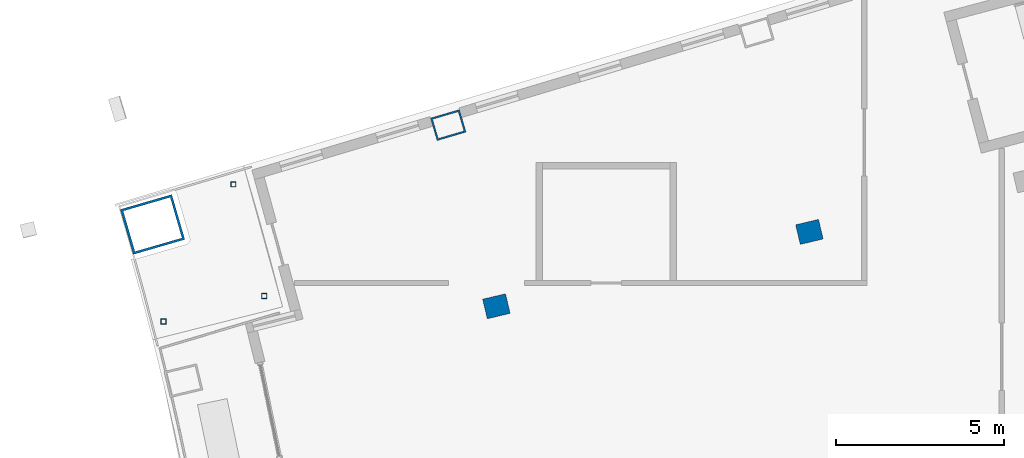
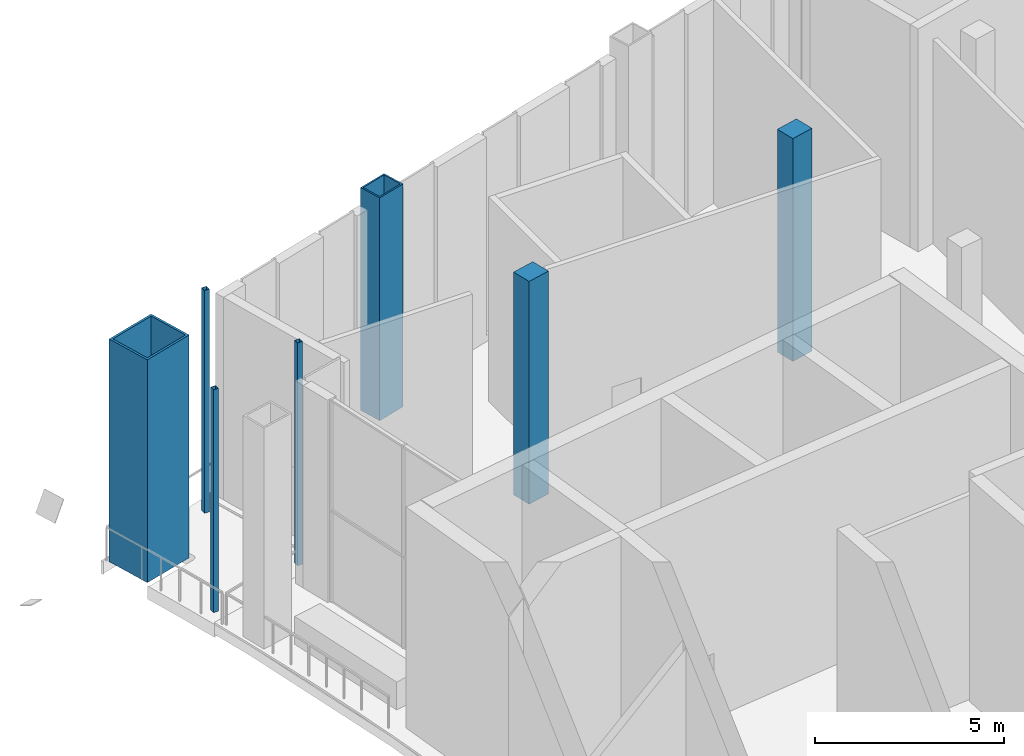
# One storey, part 5 of 25: 7 columns.
"""IFC4 building model written with IfcOpenShell, lengths in metres."""

from ifc_helpers import new_model, si_unit, direction, frame, origin, origin_2d, place, context, subcontext, project, spatial, rectangle, hollow_rectangle, extrude, material, material_profile, profile_set, type_object, element, save


model = new_model("IFC4")

# Units and contexts
model_context = context("Model", 3, precision=1e-05, world=origin(), true_north=direction((0.0, 1.0)))
body_context = subcontext(model_context, "Body", "Model", "MODEL_VIEW")
ifc_project = project(units=[si_unit("LENGTHUNIT", "METRE"), si_unit("AREAUNIT", "SQUARE_METRE"), si_unit("VOLUMEUNIT", "CUBIC_METRE"), si_unit("PLANEANGLEUNIT", "RADIAN"), si_unit("MASSUNIT", "GRAM", prefix="KILO")], contexts=[model_context])

# Site, building, storey
site_placement = place(None, origin())
site = spatial("IfcSite", under=ifc_project, at=site_placement, CompositionType="ELEMENT")
building_placement = place(site_placement, origin())
building = spatial("IfcBuilding", under=site, at=building_placement, Name="Alderwake Tower", CompositionType="ELEMENT")
storey_placement = place(building_placement, frame((0.0, 0.0, 288.800048828125)))
storey = spatial("IfcBuildingStorey", under=building, at=storey_placement, Name="L72", CompositionType="ELEMENT", Elevation=288.800048828125)

# Columns
ifc_material_1 = material(Name="Steel ASTM A572 Grade 50 concrete filled C70/85", Category="concrete")
ifc_material_profile_1 = material_profile(ifc_material_1, hollow_rectangle(XDim=0.699951171875, YDim=0.89990234375, WallThickness=0.050048828125, at=origin_2d()), Name="BOX 900X700X50")
ifc_profile_set_1 = profile_set([ifc_material_profile_1], Name="Steel ASTM A572 Grade 50 concrete filled C70/85")
column_type_1 = type_object("IfcColumnType", Name="End column Z5", PredefinedType="COLUMN", material=ifc_profile_set_1)
column_1_placement = place(storey_placement, frame((21.885498046875, 90.96240234375, 0.0), z_axis=(0.0, 0.0, 1.0), x_axis=(-0.282132160283, 0.95937554906, 0.0)))
element("IfcColumn", 1, at=column_1_placement, inside=storey, type_object=column_type_1, Name="Column R12-C1", PredefinedType="COLUMN", context=body_context, shape_type="SweptSolid", body=[
    extrude(hollow_rectangle(XDim=0.699951171875, YDim=0.89990234375, WallThickness=0.050048828125, at=origin_2d()), origin(), (0.0, 0.0, 1.0), 7.199951171875),
])
ifc_material_2 = material(Name="Concrete C70/85", Category="concrete")
ifc_material_profile_2 = material_profile(ifc_material_2, rectangle(XDim=0.60009765625, YDim=0.699951171875, at=origin_2d()), Name="RC 700X600")
ifc_profile_set_2 = profile_set([ifc_material_profile_2], Name="Concrete C70/85")
column_type_2 = type_object("IfcColumnType", Name="Interior column Z5", PredefinedType="COLUMN", material=ifc_profile_set_2)
for number, where, z_axis, x_axis, name in (
    (2, (23.322021484375, 85.555908203125, 0.0), (0.0, 0.0, 1.0), (-0.231221547198, 0.972901123502, 0.0), "Column R11-C1"),
    (3, (32.661865234375, 87.775390625, 0.0), (0.0, 0.0, 1.0), (-0.231221547198, 0.972901123502, 0.0), "Column R11-C2"),
):
    element("IfcColumn", number, at=place(storey_placement, frame(where, z_axis=z_axis, x_axis=x_axis)), inside=storey, type_object=column_type_2, Name=name, PredefinedType="COLUMN", context=body_context, shape_type="SweptSolid", body=[
        extrude(rectangle(XDim=0.60009765625, YDim=0.699951171875, at=origin_2d()), origin(), (0.0, 0.0, 1.0), 7.199951171875),
    ])
ifc_material_3 = material(Name="Steel ASTM A500 Grade C", Category="steel")
ifc_material_profile_3 = material_profile(ifc_material_3, hollow_rectangle(XDim=0.15234375, YDim=0.15234375, WallThickness=0.0087890625, at=origin_2d()), Name="HSS6X6X3/8")
ifc_profile_set_3 = profile_set([ifc_material_profile_3], Name="Steel ASTM A500 Grade C")
column_type_3 = type_object("IfcColumnType", Name="Light post HSS6X6X3/8", PredefinedType="COLUMN", material=ifc_profile_set_3)
for number, where, z_axis, x_axis, name in (
    (4, (13.3896484375, 85.103515625, 0.0), (0.0, 0.0, 1.0), (1.0, 0.0, 0.0), "Terrace post RN1"),
    (5, (15.47412109375, 89.194091796875, 0.0), (0.0, 0.0, 1.0), (1.0, 0.0, 0.0), "Terrace post RN2"),
    (6, (16.39501953125, 85.864013671875, 0.0), (0.0, 0.0, 1.0), (1.0, 0.0, 0.0), "Terrace post RN3"),
):
    element("IfcColumn", number, at=place(storey_placement, frame(where, z_axis=z_axis, x_axis=x_axis)), inside=storey, type_object=column_type_3, Name=name, PredefinedType="COLUMN", context=body_context, shape_type="SweptSolid", body=[
        extrude(hollow_rectangle(XDim=0.15234375, YDim=0.15234375, WallThickness=0.0087890625, at=origin_2d()), origin(), (0.0, 0.0, 1.0), 7.199951171875),
    ])
ifc_material_4 = material(Name="Steel ASTM A572 Grade 50 concrete filled C70/85", Category="concrete")
ifc_material_profile_4 = material_profile(ifc_material_4, hollow_rectangle(XDim=1.39990234375, YDim=1.60009765625, WallThickness=0.070068359375, at=origin_2d()), Name="BOX 1600X1400X70")
ifc_profile_set_4 = profile_set([ifc_material_profile_4], Name="Steel ASTM A572 Grade 50 concrete filled C70/85")
column_type_4 = type_object("IfcColumnType", Name="Mega column Z5", PredefinedType="COLUMN", material=ifc_profile_set_4)
column_2_placement = place(storey_placement, frame((13.06298828125, 87.99755859375, 0.0), z_axis=(0.0, 0.0, 1.0), x_axis=(-0.278612301868, 0.960403657452, 0.0)))
element("IfcColumn", 7, at=column_2_placement, inside=storey, type_object=column_type_4, Name="Column R12-C0", PredefinedType="COLUMN", context=body_context, shape_type="SweptSolid", body=[
    extrude(hollow_rectangle(XDim=1.39990234375, YDim=1.60009765625, WallThickness=0.070068359375, at=origin_2d()), origin(), (0.0, 0.0, 1.0), 7.199951171875),
])

save(model, "model.ifc")
